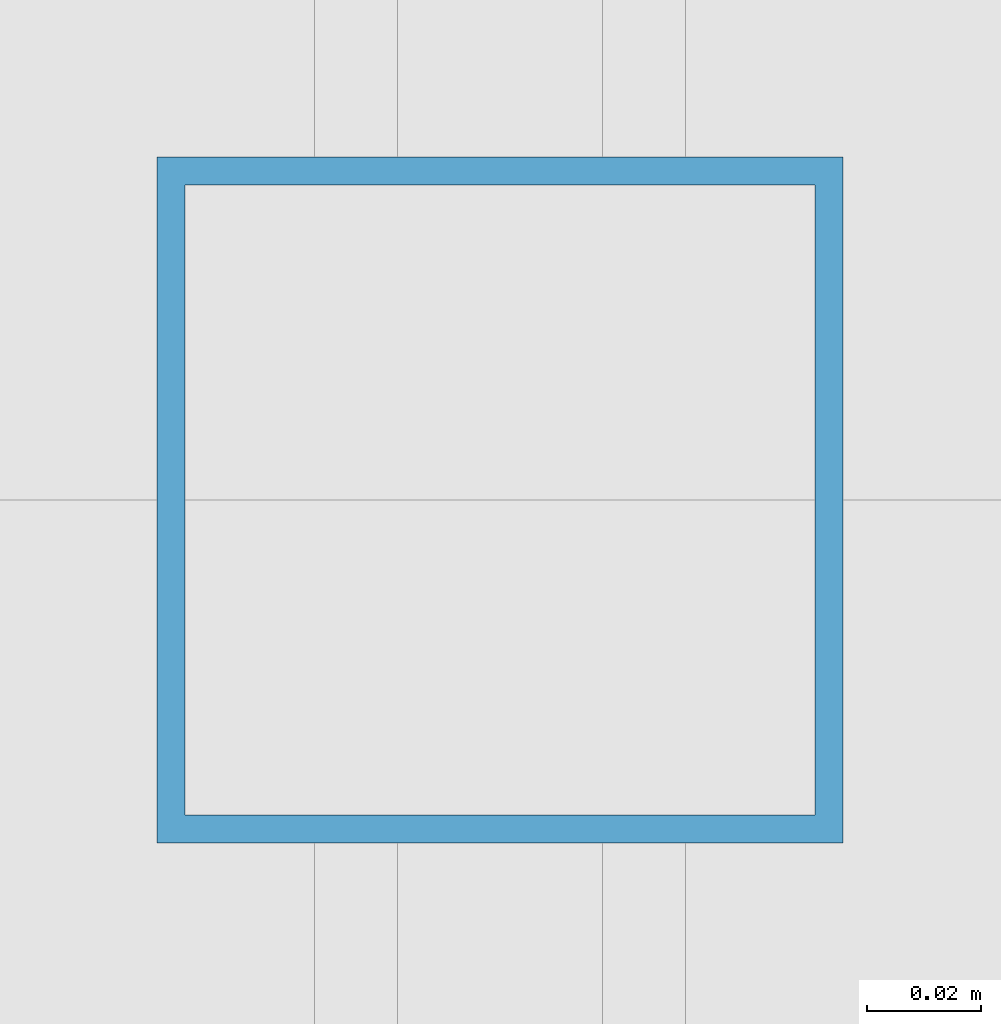
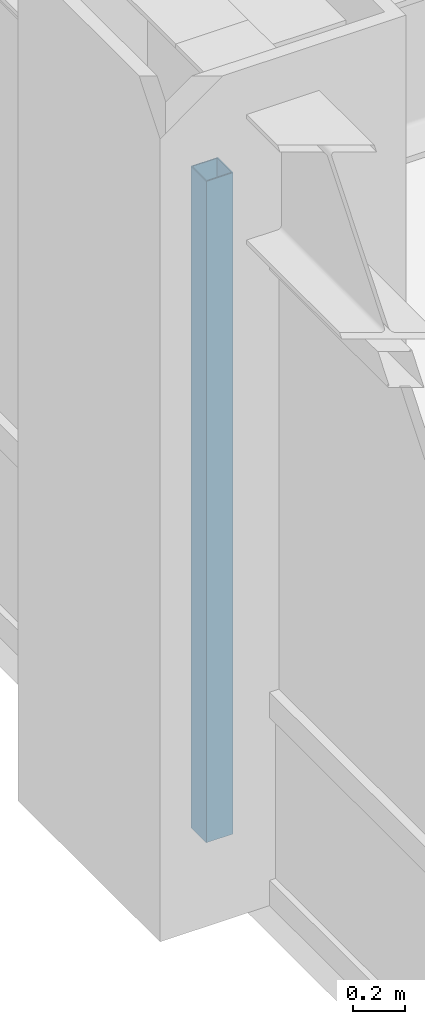
# One storey, part 6 of 24: 1 member, 1 element without a shape of its own.
"""IFC4 building model written with IfcOpenShell, lengths in metres."""

import ifcopenshell
import ifcopenshell.guid

model = None  # the IFC model being written
_history = None  # IfcOwnerHistory: only IFC2X3 demands one
_inside = {}  # id of a spatial element -> (the spatial element, [elements in it])
_under = {}  # id of a project, library or spatial element -> (it, [spatial elements below it])
_declared = {}  # id of a project -> (the project, [libraries it declares])
_typed = {}  # id of a type object -> (the type object, [elements of that type])
_made_of = {}  # id of a material, layer set ... -> (it, [elements and type objects made of it])


def new_model(schema):
    """Start an empty IFC model of exactly this schema.

    Asked for "IFC4X3", IfcOpenShell would pick the latest addendum, in which some entities
    have other attributes; the version numbers below select the first issue.
    IFC2X3 requires an IfcOwnerHistory on every rooted entity: one is made here for all.
    """
    global model, _history
    if schema == "IFC4X3":
        model = ifcopenshell.file(schema_version=(4, 3, 0, 0))
    else:
        model = ifcopenshell.file(schema=schema)
    _inside.clear()
    _under.clear()
    _declared.clear()
    _typed.clear()
    _made_of.clear()
    _history = None
    if model.schema == "IFC2X3":
        org = make("IfcOrganization", Name="unknown")
        user = make(
            "IfcPersonAndOrganization",
            ThePerson=make("IfcPerson", FamilyName="unknown"),
            TheOrganization=org,
        )
        app = make(
            "IfcApplication",
            ApplicationDeveloper=org,
            Version="unknown",
            ApplicationFullName="unknown",
            ApplicationIdentifier="unknown",
        )
        _history = make(
            "IfcOwnerHistory",
            OwningUser=user,
            OwningApplication=app,
            ChangeAction="ADDED",
            CreationDate=0,
        )
    return model


def make(cls, **values):
    """One entity of the class cls with the attributes given. An attribute that is None is left unset."""
    return model.create_entity(
        cls, **{name: value for name, value in values.items() if value is not None}
    )


def rooted(cls, **values):
    """An entity with a GlobalId (a new one), such as an element, a storey or a relation."""
    return make(cls, GlobalId=ifcopenshell.guid.new(), OwnerHistory=_history, **values)


def si_unit(unit_type, name, prefix=None):
    """IfcSIUnit, for example si_unit("LENGTHUNIT", "METRE", prefix="MILLI")."""
    return make("IfcSIUnit", UnitType=unit_type, Prefix=prefix, Name=name)


def assignment(units):
    """IfcUnitAssignment: the units of a project."""
    return None if units is None else make("IfcUnitAssignment", Units=units)


def point(xyz):
    """IfcCartesianPoint."""
    return None if xyz is None else make("IfcCartesianPoint", Coordinates=xyz)


def direction(xyz):
    """IfcDirection."""
    return None if xyz is None else make("IfcDirection", DirectionRatios=xyz)


def frame(location, z_axis=None, x_axis=None):
    """IfcAxis2Placement3D, a coordinate frame: its origin and axes. An axis left out is left unset."""
    return make(
        "IfcAxis2Placement3D",
        Location=point(location),
        Axis=direction(z_axis),
        RefDirection=direction(x_axis),
    )


def frame_2d(location, x_axis=None):
    """IfcAxis2Placement2D, a coordinate frame in the plane: its origin and x axis."""
    return make(
        "IfcAxis2Placement2D", Location=point(location), RefDirection=direction(x_axis)
    )


def origin():
    """The frame at (0, 0, 0) with its axes left unset."""
    return frame((0.0, 0.0, 0.0))


def origin_2d():
    """The frame at (0, 0) in the plane with its x axis left unset."""
    return frame_2d((0.0, 0.0))


def place(relative_to, where):
    """IfcLocalPlacement: puts the frame where relative to a parent placement (None: the world)."""
    return make(
        "IfcLocalPlacement", PlacementRelTo=relative_to, RelativePlacement=where
    )


def context(
    kind, dimensions, precision=None, world=None, true_north=None, identifier=None
):
    """IfcGeometricRepresentationContext, for example the 3D "Model" context."""
    return make(
        "IfcGeometricRepresentationContext",
        ContextIdentifier=identifier,
        ContextType=kind,
        CoordinateSpaceDimension=dimensions,
        Precision=precision,
        WorldCoordinateSystem=world,
        TrueNorth=true_north,
    )


def subcontext(parent, identifier, kind, view, scale=None):
    """IfcGeometricRepresentationSubContext, for example "Body" below "Model"."""
    return make(
        "IfcGeometricRepresentationSubContext",
        ContextIdentifier=identifier,
        ContextType=kind,
        ParentContext=parent,
        TargetScale=scale,
        TargetView=view,
    )


def project(units=None, contexts=None):
    """IfcProject with its units and contexts."""
    return rooted(
        "IfcProject",
        Name="project",
        RepresentationContexts=contexts,
        UnitsInContext=assignment(units),
    )


def spatial(cls, under=None, at=None, **own):
    """A site, building, storey or space (cls), placed at a placement, below another one or the project."""
    s = rooted(cls, ObjectPlacement=at, **own)
    if under is not None:
        _under.setdefault(under.id(), (under, []))[1].append(s)
    return s


def profile(cls, at=None, kind="AREA", **sizes):
    """A parametric profile (cls). Its sizes go by their IFC names, for example OverallWidth=200.0."""
    return make(cls, ProfileType=kind, Position=at, **sizes)


def hollow_rectangle(**sizes):
    """IfcRectangleHollowProfileDef."""
    return profile("IfcRectangleHollowProfileDef", **sizes)


def extrude(swept, where, along, depth):
    """IfcExtrudedAreaSolid: the profile swept, set in the frame where, extruded along a direction by depth."""
    return make(
        "IfcExtrudedAreaSolid",
        SweptArea=swept,
        Position=where,
        ExtrudedDirection=direction(along),
        Depth=depth,
    )


def shape(context_of_items, identifier, shape_type, items):
    """IfcShapeRepresentation: the items that make up one representation, for example the "Body"."""
    return make(
        "IfcShapeRepresentation",
        ContextOfItems=context_of_items,
        RepresentationIdentifier=identifier,
        RepresentationType=shape_type,
        Items=items,
    )


def source(mapping_origin, context_of_items, identifier, shape_type, items):
    """IfcRepresentationMap: a shape defined once, which mapped items show again and again."""
    return make(
        "IfcRepresentationMap",
        MappingOrigin=mapping_origin,
        MappedRepresentation=shape(context_of_items, identifier, shape_type, items),
    )


def transform(
    local_origin,
    x_axis=None,
    y_axis=None,
    z_axis=None,
    scale=None,
    scale2=None,
    scale3=None,
    uniform=True,
):
    """IfcCartesianTransformationOperator3D, or its non-uniform kind. x_axis, y_axis, z_axis: its Axis1, 2, 3."""
    if uniform:
        return make(
            "IfcCartesianTransformationOperator3D",
            Axis1=direction(x_axis),
            Axis2=direction(y_axis),
            LocalOrigin=point(local_origin),
            Scale=scale,
            Axis3=direction(z_axis),
        )
    return make(
        "IfcCartesianTransformationOperator3DnonUniform",
        Axis1=direction(x_axis),
        Axis2=direction(y_axis),
        LocalOrigin=point(local_origin),
        Scale=scale,
        Axis3=direction(z_axis),
        Scale2=scale2,
        Scale3=scale3,
    )


def mapped(mapping_source, mapping_target):
    """IfcMappedItem: shows the shape of a source again, moved by a transform."""
    return make(
        "IfcMappedItem", MappingSource=mapping_source, MappingTarget=mapping_target
    )


def material(Name=None, Category=None):
    """IfcMaterial."""
    return make("IfcMaterial", Name=Name, Category=Category)


def material_profile(
    of_material, cross_section, Name=None, Category=None, Priority=None
):
    """IfcMaterialProfile: a cross section and its material."""
    return make(
        "IfcMaterialProfile",
        Name=Name,
        Material=of_material,
        Profile=cross_section,
        Priority=Priority,
        Category=Category,
    )


def profile_set(profiles, Name=None, composite=None):
    """IfcMaterialProfileSet."""
    return make(
        "IfcMaterialProfileSet",
        Name=Name,
        MaterialProfiles=profiles,
        CompositeProfile=composite,
    )


def made_of(thing, what):
    """Note that an element or type object is made of a material, layer set ...; save() writes the relation."""
    if what is not None:
        _made_of.setdefault(what.id(), (what, []))[1].append(thing)
    return thing


def type_object(cls, material=None, **own):
    """A type object (cls), such as IfcWallType, which elements share."""
    return made_of(rooted(cls, **own), material)


def element(
    cls,
    number,
    at=None,
    inside=None,
    cuts=None,
    type_object=None,
    material=None,
    context=None,
    identifier="Body",
    shape_type=None,
    held_by="IfcProductDefinitionShape",
    body=None,
    shapes=None,
    **own,
):
    """One element of the class cls, such as IfcWall. Its Tag is "e" and its number.

    at: its placement. inside: the storey or other place that contains it. cuts: it is an
    opening in that element (IfcRelVoidsElement). A single representation is given by context,
    identifier, shape_type and body (its items); several are given by shapes. held_by: the class
    of the entity that holds the representations. save() writes the other relations.
    """
    e = rooted(cls, Tag="e%d" % number, ObjectPlacement=at, **own)
    if body is not None:
        shapes = [shape(context, identifier, shape_type, body)]
    if shapes is not None:
        e.Representation = make(held_by, Representations=shapes)
    if inside is not None:
        _inside.setdefault(inside.id(), (inside, []))[1].append(e)
    if cuts is not None:
        rooted(
            "IfcRelVoidsElement", RelatingBuildingElement=cuts, RelatedOpeningElement=e
        )
    if type_object is not None:
        _typed.setdefault(type_object.id(), (type_object, []))[1].append(e)
    return made_of(e, material)


def aggregate(whole, parts):
    """IfcRelAggregates: a whole, such as a stair, and the parts it consists of."""
    return rooted("IfcRelAggregates", RelatingObject=whole, RelatedObjects=parts)


def save(model, path):
    """Write the relations noted so far, then the file.

    IfcRelAggregates (storeys below a building ...), IfcRelContainedInSpatialStructure (elements
    in a storey), IfcRelDefinesByType, IfcRelAssociatesMaterial and IfcRelDeclares: one each for
    every whole, place, type object, material and project.
    """
    for whole, parts in _under.values():
        aggregate(whole, parts)
    for where, things in _inside.values():
        rooted(
            "IfcRelContainedInSpatialStructure",
            RelatedElements=things,
            RelatingStructure=where,
        )
    for kind, things in _typed.values():
        rooted("IfcRelDefinesByType", RelatedObjects=things, RelatingType=kind)
    for what, things in _made_of.values():
        rooted("IfcRelAssociatesMaterial", RelatedObjects=things, RelatingMaterial=what)
    for by, libraries in _declared.values():
        rooted("IfcRelDeclares", RelatingContext=by, RelatedDefinitions=libraries)
    model.write(path)


model = new_model("IFC4")

# Units and contexts
model_context = context("Model", 3, precision=1e-05, world=origin(), true_north=direction((0.0, 1.0)))
body_context = subcontext(model_context, "Body", "Model", "MODEL_VIEW")
ifc_project = project(units=[si_unit("LENGTHUNIT", "METRE"), si_unit("AREAUNIT", "SQUARE_METRE"), si_unit("VOLUMEUNIT", "CUBIC_METRE"), si_unit("PLANEANGLEUNIT", "RADIAN"), si_unit("MASSUNIT", "GRAM", prefix="KILO")], contexts=[model_context])

# Site, building, storey
site_placement = place(None, origin())
site = spatial("IfcSite", under=ifc_project, at=site_placement, CompositionType="ELEMENT")
building_placement = place(site_placement, origin())
building = spatial("IfcBuilding", under=site, at=building_placement, Name="Khorayat Bourse Tower", CompositionType="ELEMENT")
storey_placement = place(building_placement, frame((0.0, 0.0, 167.10009765625)))
storey = spatial("IfcBuildingStorey", under=building, at=storey_placement, Name="L38", CompositionType="ELEMENT", Elevation=167.10009765625)

# Curtain wall, member
ifc_material = material(Name="Aluminium EN AW-6063 T6", Category="aluminium")
curtain_wall_type = type_object("IfcCurtainWallType", Name="CW-SYS-03", PredefinedType="NOTDEFINED", material=ifc_material)
curtain_wall_placement = place(storey_placement, origin())
curtain_wall = element("IfcCurtainWall", 1, at=curtain_wall_placement, inside=storey, type_object=curtain_wall_type, Name="L38 Curtain Wall CW-L38-W1", PredefinedType="NOTDEFINED")
ifc_material_profile = material_profile(ifc_material, hollow_rectangle(XDim=0.1201171875, YDim=0.1201171875, WallThickness=0.0048828125, at=origin_2d()), Name="ALU 120x120x5")
ifc_profile_set = profile_set([ifc_material_profile], Name="Aluminium EN AW-6063 T6")
member_type = type_object("IfcMemberType", Name="CWM-VERT-120", PredefinedType="MULLION", material=ifc_profile_set)
shared_shape = source(origin(), body_context, "Body", "SweptSolid", [
    extrude(hollow_rectangle(XDim=0.1201171875, YDim=0.1201171875, WallThickness=0.0048828125, at=origin_2d()), origin(), (0.0, 0.0, 1.0), 3.1298828125),
])
member_placement = place(storey_placement, frame((-30.0, 0.0, 0.0), z_axis=(0.0, 0.0, 1.0), x_axis=(-1.0, 0.0, 0.0)))
member = element("IfcMember", 2, at=member_placement, type_object=member_type, Name="CW-L38-W1 Vertical Mullion 2", PredefinedType="MULLION", context=body_context, shape_type="MappedRepresentation", body=[
    mapped(shared_shape, transform((0.0, 0.0, 0.0), scale=1.0)),
])
aggregate(curtain_wall, [member])

save(model, "model.ifc")
